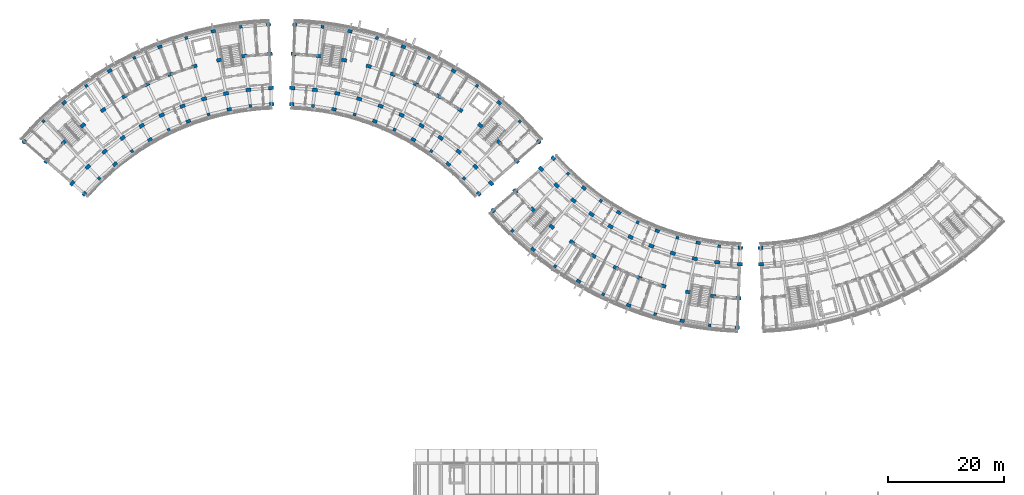
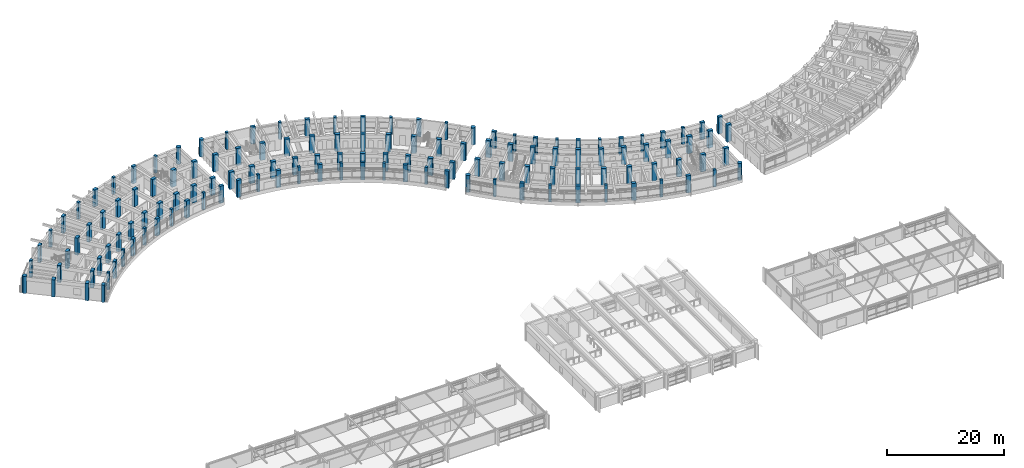
# One storey, part 7 of 83: 134 columns.
"""IFC4 building model written with IfcOpenShell, lengths in metres."""

from ifc_helpers import new_model, si_unit, direction, frame, origin, origin_2d, place, context, subcontext, project, spatial, rectangle, circle, extrude, material, material_profile, profile_set, type_object, element, save


model = new_model("IFC4")

# Units and contexts
model_context = context("Model", 3, precision=1e-05, world=origin(), true_north=direction((0.0, 1.0)))
body_context = subcontext(model_context, "Body", "Model", "MODEL_VIEW")
ifc_project = project(units=[si_unit("LENGTHUNIT", "METRE"), si_unit("AREAUNIT", "SQUARE_METRE"), si_unit("VOLUMEUNIT", "CUBIC_METRE"), si_unit("PLANEANGLEUNIT", "RADIAN"), si_unit("MASSUNIT", "GRAM", prefix="KILO")], contexts=[model_context])

# Site, building, storey
site_placement = place(None, origin())
site = spatial("IfcSite", under=ifc_project, at=site_placement, CompositionType="ELEMENT")
building_placement = place(site_placement, origin())
building = spatial("IfcBuilding", under=site, at=building_placement, Name="Zimvara Arc Housing Community", CompositionType="ELEMENT")
storey_placement = place(building_placement, frame((0.0, 0.0, 4.5)))
storey = spatial("IfcBuildingStorey", under=building, at=storey_placement, Name="L01", CompositionType="ELEMENT", Elevation=4.5)

# Columns
ifc_material_1 = material(Name="Concrete C40/50", Category="concrete")
ifc_material_profile_1 = material_profile(ifc_material_1, rectangle(XDim=0.5, YDim=0.5, at=origin_2d()), Name="RC 500x500")
ifc_profile_set_1 = profile_set([ifc_material_profile_1], Name="Concrete C40/50")
column_type_1 = type_object("IfcColumnType", Name="COL-RC-500x500", PredefinedType="COLUMN", material=ifc_profile_set_1)
for number, where, z_axis, x_axis, name in (
    (1, (13.476318359375, 76.781005859375, 0.0), (0.0, 0.0, 1.0), (-0.698665066769, 0.715448897181, 0.0), "col:blkA:L01:b1:r0"),
    (2, (3.862548828125, 86.625732421875, 0.0), (0.0, 0.0, 1.0), (-0.698665066769, 0.715448897181, 0.0), "col:blkA:L01:b1:r3"),
    (3, (19.14599609375, 81.478271484375, 0.0), (0.0, 0.0, 1.0), (-0.573004420611, 0.819552276527, 0.0), "col:blkA:L01:b3:r0"),
    (4, (11.261474609375, 92.755126953125, 0.0), (0.0, 0.0, 1.0), (-0.573004420611, 0.819552276527, 0.0), "col:blkA:L01:b3:r3"),
    (5, (25.50439453125, 85.190673828125, 0.0), (0.0, 0.0, 1.0), (-0.432085748802, 0.901832526405, 0.0), "col:blkA:L01:b5:r0"),
    (6, (19.558837890625, 97.599853515625, 0.0), (0.0, 0.0, 1.0), (-0.432085748802, 0.901832526405, 0.0), "col:blkA:L01:b5:r3"),
    (7, (32.381591796875, 87.819580078125, 0.0), (0.0, 0.0, 1.0), (-0.27966144946, 0.96009867914, 0.0), "col:blkA:L01:b7:r0"),
    (8, (28.533447265625, 101.030517578125, 0.0), (0.0, 0.0, 1.0), (-0.27966144946, 0.96009867914, 0.0), "col:blkA:L01:b7:r3"),
    (9, (39.594970703125, 89.295166015625, 0.0), (0.0, 0.0, 1.0), (-0.119790293837, 0.992799217114, 0.0), "col:blkA:L01:b9:r0"),
    (10, (37.94677734375, 102.9560546875, 0.0), (0.0, 0.0, 1.0), (-0.119790293837, 0.992799217114, 0.0), "col:blkA:L01:b9:r3"),
    (11, (50.405029296875, 89.295166015625, 0.0), (0.0, 0.0, 1.0), (0.119790293837, 0.992799217114, 0.0), "col:blkB:L01:b1:r0"),
    (12, (52.05322265625, 102.9560546875, 0.0), (0.0, 0.0, 1.0), (0.119790293837, 0.992799217114, 0.0), "col:blkB:L01:b1:r3"),
    (13, (57.618408203125, 87.819580078125, 0.0), (0.0, 0.0, 1.0), (0.27966144946, 0.96009867914, 0.0), "col:blkB:L01:b3:r0"),
    (14, (61.466552734375, 101.030517578125, 0.0), (0.0, 0.0, 1.0), (0.27966144946, 0.96009867914, 0.0), "col:blkB:L01:b3:r3"),
    (15, (64.49560546875, 85.190673828125, 0.0), (0.0, 0.0, 1.0), (0.432085748802, 0.901832526405, 0.0), "col:blkB:L01:b5:r0"),
    (16, (70.441162109375, 97.599853515625, 0.0), (0.0, 0.0, 1.0), (0.432085748802, 0.901832526405, 0.0), "col:blkB:L01:b5:r3"),
    (17, (70.85400390625, 81.478271484375, 0.0), (0.0, 0.0, 1.0), (0.573004420611, 0.819552276527, 0.0), "col:blkB:L01:b7:r0"),
    (18, (78.738525390625, 92.755126953125, 0.0), (0.0, 0.0, 1.0), (0.573004420611, 0.819552276527, 0.0), "col:blkB:L01:b7:r3"),
    (19, (76.523681640625, 76.781005859375, 0.0), (0.0, 0.0, 1.0), (0.698665066769, 0.715448897181, 0.0), "col:blkB:L01:b9:r0"),
    (20, (86.137451171875, 86.625732421875, 0.0), (0.0, 0.0, 1.0), (0.698665066769, 0.715448897181, 0.0), "col:blkB:L01:b9:r3"),
    (21, (94.456298828125, 77.578857421875, 0.0), (0.0, 0.0, 1.0), (-0.698665066769, -0.715448897181, 0.0), "col:blkC:L01:b1:r0"),
    (22, (84.842529296875, 67.734375, 0.0), (0.0, 0.0, 1.0), (-0.698665066769, -0.715448897181, 0.0), "col:blkC:L01:b1:r3"),
    (23, (100.1259765625, 72.8818359375, 0.0), (0.0, 0.0, 1.0), (-0.573004420611, -0.819552276527, 0.0), "col:blkC:L01:b3:r0"),
    (24, (92.241455078125, 61.604736328125, 0.0), (0.0, 0.0, 1.0), (-0.573004420611, -0.819552276527, 0.0), "col:blkC:L01:b3:r3"),
    (25, (106.484375, 69.16943359375, 0.0), (0.0, 0.0, 1.0), (-0.432085748802, -0.901832526405, 0.0), "col:blkC:L01:b5:r0"),
    (26, (100.538818359375, 56.760009765625, 0.0), (0.0, 0.0, 1.0), (-0.432085748802, -0.901832526405, 0.0), "col:blkC:L01:b5:r3"),
    (27, (113.361572265625, 66.540283203125, 0.0), (0.0, 0.0, 1.0), (-0.27966144946, -0.96009867914, 0.0), "col:blkC:L01:b7:r0"),
    (28, (109.513427734375, 53.329345703125, 0.0), (0.0, 0.0, 1.0), (-0.27966144946, -0.96009867914, 0.0), "col:blkC:L01:b7:r3"),
    (29, (120.574951171875, 65.06494140625, 0.0), (0.0, 0.0, 1.0), (-0.119790293837, -0.992799217114, 0.0), "col:blkC:L01:b9:r0"),
    (30, (118.9267578125, 51.404052734375, 0.0), (0.0, 0.0, 1.0), (-0.119790293837, -0.992799217114, 0.0), "col:blkC:L01:b9:r3"),
):
    element("IfcColumn", number, at=place(storey_placement, frame(where, z_axis=z_axis, x_axis=x_axis)), inside=storey, type_object=column_type_1, Name=name, PredefinedType="COLUMN", context=body_context, shape_type="SweptSolid", body=[
        extrude(rectangle(XDim=0.5, YDim=0.5, at=origin_2d()), origin(), (0.0, 0.0, 1.0), 3.60009765625),
    ])
ifc_material_2 = material(Name="Concrete C40/50", Category="concrete")
ifc_material_profile_2 = material_profile(ifc_material_2, rectangle(XDim=0.550048828125, YDim=0.800048828125, at=origin_2d()), Name="RC 550x800")
ifc_profile_set_2 = profile_set([ifc_material_profile_2], Name="Concrete C40/50")
column_type_2 = type_object("IfcColumnType", Name="COL-RC-550x800", PredefinedType="COLUMN", material=ifc_profile_set_2)
for number, where, z_axis, x_axis, name in (
    (31, (10.947509765625, 74.101318359375, 0.0), (0.0, 0.0, 1.0), (-0.754709580223, 0.656059028991, 0.0), "col:blkA:L01:b0:r0"),
    (32, (16.215087890625, 79.245361328125, 0.0), (0.0, 0.0, 1.0), (-0.637961754089, 0.770068049148, 0.0), "col:blkA:L01:b2:r0"),
    (33, (7.436767578125, 89.841552734375, 0.0), (0.0, 0.0, 1.0), (-0.637961754089, 0.770068049148, 0.0), "col:blkA:L01:b2:r3"),
    (34, (22.249267578125, 83.46435546875, 0.0), (0.0, 0.0, 1.0), (-0.504226211181, 0.863571611366, 0.0), "col:blkA:L01:b4:r0"),
    (35, (15.311279296875, 95.34716796875, 0.0), (0.0, 0.0, 1.0), (-0.504226211181, 0.863571611366, 0.0), "col:blkA:L01:b4:r3"),
    (36, (28.88916015625, 86.645751953125, 0.0), (0.0, 0.0, 1.0), (-0.357064076459, 0.934079892355, 0.0), "col:blkA:L01:b6:r0"),
    (37, (23.97607421875, 99.49853515625, 0.0), (0.0, 0.0, 1.0), (-0.357064076459, 0.934079892355, 0.0), "col:blkA:L01:b6:r3"),
    (38, (35.958251953125, 88.704833984375, 0.0), (0.0, 0.0, 1.0), (-0.200393999665, 0.979715389742, 0.0), "col:blkA:L01:b8:r0"),
    (39, (33.20068359375, 102.185546875, 0.0), (0.0, 0.0, 1.0), (-0.200393999665, 0.979715389742, 0.0), "col:blkA:L01:b8:r3"),
    (40, (43.267822265625, 89.586669921875, 0.0), (0.0, 0.0, 1.0), (-0.038387809088, 0.999262916411, 0.0), "col:blkA:L01:b10:r0"),
    (41, (46.732177734375, 89.586669921875, 0.0), (0.0, 0.0, 1.0), (0.038387809088, 0.999262916411, 0.0), "col:blkB:L01:b0:r0"),
    (42, (54.041748046875, 88.704833984375, 0.0), (0.0, 0.0, 1.0), (0.200393999665, 0.979715389742, 0.0), "col:blkB:L01:b2:r0"),
    (43, (56.79931640625, 102.185546875, 0.0), (0.0, 0.0, 1.0), (0.200393999665, 0.979715389742, 0.0), "col:blkB:L01:b2:r3"),
    (44, (61.11083984375, 86.645751953125, 0.0), (0.0, 0.0, 1.0), (0.357064076459, 0.934079892355, 0.0), "col:blkB:L01:b4:r0"),
    (45, (66.02392578125, 99.49853515625, 0.0), (0.0, 0.0, 1.0), (0.357064076459, 0.934079892355, 0.0), "col:blkB:L01:b4:r3"),
    (46, (67.750732421875, 83.46435546875, 0.0), (0.0, 0.0, 1.0), (0.504226211181, 0.863571611366, 0.0), "col:blkB:L01:b6:r0"),
    (47, (74.688720703125, 95.34716796875, 0.0), (0.0, 0.0, 1.0), (0.504226211181, 0.863571611366, 0.0), "col:blkB:L01:b6:r3"),
    (48, (73.784912109375, 79.245361328125, 0.0), (0.0, 0.0, 1.0), (0.637961754089, 0.770068049148, 0.0), "col:blkB:L01:b8:r0"),
    (49, (82.563232421875, 89.841552734375, 0.0), (0.0, 0.0, 1.0), (0.637961754089, 0.770068049148, 0.0), "col:blkB:L01:b8:r3"),
    (50, (79.052490234375, 74.101318359375, 0.0), (0.0, 0.0, 1.0), (0.754709580223, 0.656059028991, 0.0), "col:blkB:L01:b10:r0"),
    (51, (91.927490234375, 80.258544921875, 0.0), (0.0, 0.0, 1.0), (-0.754709580223, -0.656059028991, 0.0), "col:blkC:L01:b0:r0"),
    (52, (97.195068359375, 75.114501953125, 0.0), (0.0, 0.0, 1.0), (-0.637961754089, -0.770068049148, 0.0), "col:blkC:L01:b2:r0"),
    (53, (88.416748046875, 64.518310546875, 0.0), (0.0, 0.0, 1.0), (-0.637961754089, -0.770068049148, 0.0), "col:blkC:L01:b2:r3"),
    (54, (103.229248046875, 70.895751953125, 0.0), (0.0, 0.0, 1.0), (-0.504226211181, -0.863571611366, 0.0), "col:blkC:L01:b4:r0"),
    (55, (96.291259765625, 59.012939453125, 0.0), (0.0, 0.0, 1.0), (-0.504226211181, -0.863571611366, 0.0), "col:blkC:L01:b4:r3"),
    (56, (109.869384765625, 67.71435546875, 0.0), (0.0, 0.0, 1.0), (-0.357064076459, -0.934079892355, 0.0), "col:blkC:L01:b6:r0"),
    (57, (104.9560546875, 54.861328125, 0.0), (0.0, 0.0, 1.0), (-0.357064076459, -0.934079892355, 0.0), "col:blkC:L01:b6:r3"),
    (58, (116.938232421875, 65.6552734375, 0.0), (0.0, 0.0, 1.0), (-0.200393999665, -0.979715389742, 0.0), "col:blkC:L01:b8:r0"),
    (59, (114.180908203125, 52.17431640625, 0.0), (0.0, 0.0, 1.0), (-0.200393999665, -0.979715389742, 0.0), "col:blkC:L01:b8:r3"),
    (60, (124.248046875, 64.773193359375, 0.0), (0.0, 0.0, 1.0), (-0.038387809088, -0.999262916411, 0.0), "col:blkC:L01:b10:r0"),
    (61, (127.712158203125, 64.773193359375, 0.0), (0.0, 0.0, 1.0), (0.038387809088, -0.999262916411, 0.0), "col:blkD:L01:b0:r0"),
):
    element("IfcColumn", number, at=place(storey_placement, frame(where, z_axis=z_axis, x_axis=x_axis)), inside=storey, type_object=column_type_2, Name=name, PredefinedType="COLUMN", context=body_context, shape_type="SweptSolid", body=[
        extrude(rectangle(XDim=0.550048828125, YDim=0.800048828125, at=origin_2d()), origin(), (0.0, 0.0, 1.0), 3.60009765625),
    ])
ifc_material_3 = material(Name="Concrete C40/50", Category="concrete")
ifc_material_profile_3 = material_profile(ifc_material_3, rectangle(XDim=0.60009765625, YDim=0.89990234375, at=origin_2d()), Name="RC 600x900")
ifc_profile_set_3 = profile_set([ifc_material_profile_3], Name="Concrete C40/50")
column_type_3 = type_object("IfcColumnType", Name="COL-RC-600x900", PredefinedType="COLUMN", material=ifc_profile_set_3)
for number, where, z_axis, x_axis, name in (
    (62, (8.834228515625, 75.938232421875, 0.0), (0.0, 0.0, 1.0), (-0.754709580223, 0.656059028991, 0.0), "col:blkA:L01:b0:r1"),
    (63, (4.396728515625, 79.7958984375, 0.0), (0.0, 0.0, 1.0), (-0.754709580223, 0.656059028991, 0.0), "col:blkA:L01:b0:r2"),
    (64, (11.52001953125, 78.784423828125, 0.0), (0.0, 0.0, 1.0), (-0.698665066769, 0.715448897181, 0.0), "col:blkA:L01:b1:r1"),
    (65, (7.411865234375, 82.9912109375, 0.0), (0.0, 0.0, 1.0), (-0.698665066769, 0.715448897181, 0.0), "col:blkA:L01:b1:r2"),
    (66, (14.428955078125, 81.401611328125, 0.0), (0.0, 0.0, 1.0), (-0.637961754089, 0.770068049148, 0.0), "col:blkA:L01:b2:r1"),
    (67, (10.677734375, 85.9296875, 0.0), (0.0, 0.0, 1.0), (-0.637961754089, 0.770068049148, 0.0), "col:blkA:L01:b2:r2"),
    (68, (17.541748046875, 83.77294921875, 0.0), (0.0, 0.0, 1.0), (-0.573004420611, 0.819552276527, 0.0), "col:blkA:L01:b3:r1"),
    (69, (14.17236328125, 88.591796875, 0.0), (0.0, 0.0, 1.0), (-0.573004420611, 0.819552276527, 0.0), "col:blkA:L01:b3:r2"),
    (70, (20.83740234375, 85.88232421875, 0.0), (0.0, 0.0, 1.0), (-0.504226211181, 0.863571611366, 0.0), "col:blkA:L01:b4:r1"),
    (71, (17.87255859375, 90.960205078125, 0.0), (0.0, 0.0, 1.0), (-0.504226211181, 0.863571611366, 0.0), "col:blkA:L01:b4:r2"),
    (72, (24.29443359375, 87.7158203125, 0.0), (0.0, 0.0, 1.0), (-0.432085748802, 0.901832526405, 0.0), "col:blkA:L01:b5:r1"),
    (73, (21.75390625, 93.0185546875, 0.0), (0.0, 0.0, 1.0), (-0.432085748802, 0.901832526405, 0.0), "col:blkA:L01:b5:r2"),
    (74, (27.889404296875, 89.260986328125, 0.0), (0.0, 0.0, 1.0), (-0.357064076459, 0.934079892355, 0.0), "col:blkA:L01:b6:r1"),
    (75, (25.7900390625, 94.75341796875, 0.0), (0.0, 0.0, 1.0), (-0.357064076459, 0.934079892355, 0.0), "col:blkA:L01:b6:r2"),
    (76, (31.5986328125, 90.5078125, 0.0), (0.0, 0.0, 1.0), (-0.27966144946, 0.96009867914, 0.0), "col:blkA:L01:b7:r1"),
    (77, (29.9541015625, 96.1533203125, 0.0), (0.0, 0.0, 1.0), (-0.27966144946, 0.96009867914, 0.0), "col:blkA:L01:b7:r2"),
    (78, (35.397216796875, 91.447998046875, 0.0), (0.0, 0.0, 1.0), (-0.200393999665, 0.979715389742, 0.0), "col:blkA:L01:b8:r1"),
    (79, (34.21875, 97.208740234375, 0.0), (0.0, 0.0, 1.0), (-0.200393999665, 0.979715389742, 0.0), "col:blkA:L01:b8:r2"),
    (80, (39.259765625, 92.074951171875, 0.0), (0.0, 0.0, 1.0), (-0.119790293837, 0.992799217114, 0.0), "col:blkA:L01:b9:r1"),
    (81, (38.55517578125, 97.91259765625, 0.0), (0.0, 0.0, 1.0), (-0.119790293837, 0.992799217114, 0.0), "col:blkA:L01:b9:r2"),
    (82, (43.160400390625, 92.384765625, 0.0), (0.0, 0.0, 1.0), (-0.038387809088, 0.999262916411, 0.0), "col:blkA:L01:b10:r1"),
    (83, (42.934814453125, 98.26025390625, 0.0), (0.0, 0.0, 1.0), (-0.038387809088, 0.999262916411, 0.0), "col:blkA:L01:b10:r2"),
    (84, (46.839599609375, 92.384765625, 0.0), (0.0, 0.0, 1.0), (0.038387809088, 0.999262916411, 0.0), "col:blkB:L01:b0:r1"),
    (85, (47.065185546875, 98.26025390625, 0.0), (0.0, 0.0, 1.0), (0.038387809088, 0.999262916411, 0.0), "col:blkB:L01:b0:r2"),
    (86, (50.740234375, 92.074951171875, 0.0), (0.0, 0.0, 1.0), (0.119790293837, 0.992799217114, 0.0), "col:blkB:L01:b1:r1"),
    (87, (51.44482421875, 97.91259765625, 0.0), (0.0, 0.0, 1.0), (0.119790293837, 0.992799217114, 0.0), "col:blkB:L01:b1:r2"),
    (88, (54.602783203125, 91.447998046875, 0.0), (0.0, 0.0, 1.0), (0.200393999665, 0.979715389742, 0.0), "col:blkB:L01:b2:r1"),
    (89, (55.78125, 97.208740234375, 0.0), (0.0, 0.0, 1.0), (0.200393999665, 0.979715389742, 0.0), "col:blkB:L01:b2:r2"),
    (90, (58.4013671875, 90.5078125, 0.0), (0.0, 0.0, 1.0), (0.27966144946, 0.96009867914, 0.0), "col:blkB:L01:b3:r1"),
    (91, (60.0458984375, 96.1533203125, 0.0), (0.0, 0.0, 1.0), (0.27966144946, 0.96009867914, 0.0), "col:blkB:L01:b3:r2"),
    (92, (62.110595703125, 89.260986328125, 0.0), (0.0, 0.0, 1.0), (0.357064076459, 0.934079892355, 0.0), "col:blkB:L01:b4:r1"),
    (93, (64.2099609375, 94.75341796875, 0.0), (0.0, 0.0, 1.0), (0.357064076459, 0.934079892355, 0.0), "col:blkB:L01:b4:r2"),
    (94, (65.70556640625, 87.7158203125, 0.0), (0.0, 0.0, 1.0), (0.432085748802, 0.901832526405, 0.0), "col:blkB:L01:b5:r1"),
    (95, (68.24609375, 93.0185546875, 0.0), (0.0, 0.0, 1.0), (0.432085748802, 0.901832526405, 0.0), "col:blkB:L01:b5:r2"),
    (96, (69.16259765625, 85.88232421875, 0.0), (0.0, 0.0, 1.0), (0.504226211181, 0.863571611366, 0.0), "col:blkB:L01:b6:r1"),
    (97, (72.12744140625, 90.960205078125, 0.0), (0.0, 0.0, 1.0), (0.504226211181, 0.863571611366, 0.0), "col:blkB:L01:b6:r2"),
    (98, (72.458251953125, 83.77294921875, 0.0), (0.0, 0.0, 1.0), (0.573004420611, 0.819552276527, 0.0), "col:blkB:L01:b7:r1"),
    (99, (75.82763671875, 88.591796875, 0.0), (0.0, 0.0, 1.0), (0.573004420611, 0.819552276527, 0.0), "col:blkB:L01:b7:r2"),
    (100, (75.571044921875, 81.401611328125, 0.0), (0.0, 0.0, 1.0), (0.637961754089, 0.770068049148, 0.0), "col:blkB:L01:b8:r1"),
    (101, (79.322265625, 85.9296875, 0.0), (0.0, 0.0, 1.0), (0.637961754089, 0.770068049148, 0.0), "col:blkB:L01:b8:r2"),
    (102, (78.47998046875, 78.784423828125, 0.0), (0.0, 0.0, 1.0), (0.698665066769, 0.715448897181, 0.0), "col:blkB:L01:b9:r1"),
    (103, (82.588134765625, 82.9912109375, 0.0), (0.0, 0.0, 1.0), (0.698665066769, 0.715448897181, 0.0), "col:blkB:L01:b9:r2"),
    (104, (81.165771484375, 75.938232421875, 0.0), (0.0, 0.0, 1.0), (0.754709580223, 0.656059028991, 0.0), "col:blkB:L01:b10:r1"),
    (105, (85.603271484375, 79.7958984375, 0.0), (0.0, 0.0, 1.0), (0.754709580223, 0.656059028991, 0.0), "col:blkB:L01:b10:r2"),
    (106, (89.814208984375, 78.421630859375, 0.0), (0.0, 0.0, 1.0), (-0.754709580223, -0.656059028991, 0.0), "col:blkC:L01:b0:r1"),
    (107, (85.376708984375, 74.56396484375, 0.0), (0.0, 0.0, 1.0), (-0.754709580223, -0.656059028991, 0.0), "col:blkC:L01:b0:r2"),
    (108, (92.5, 75.57568359375, 0.0), (0.0, 0.0, 1.0), (-0.698665066769, -0.715448897181, 0.0), "col:blkC:L01:b1:r1"),
    (109, (88.391845703125, 71.368896484375, 0.0), (0.0, 0.0, 1.0), (-0.698665066769, -0.715448897181, 0.0), "col:blkC:L01:b1:r2"),
    (110, (95.408935546875, 72.958251953125, 0.0), (0.0, 0.0, 1.0), (-0.637961754089, -0.770068049148, 0.0), "col:blkC:L01:b2:r1"),
    (111, (91.65771484375, 68.430419921875, 0.0), (0.0, 0.0, 1.0), (-0.637961754089, -0.770068049148, 0.0), "col:blkC:L01:b2:r2"),
    (112, (98.521728515625, 70.587158203125, 0.0), (0.0, 0.0, 1.0), (-0.573004420611, -0.819552276527, 0.0), "col:blkC:L01:b3:r1"),
    (113, (95.15234375, 65.76806640625, 0.0), (0.0, 0.0, 1.0), (-0.573004420611, -0.819552276527, 0.0), "col:blkC:L01:b3:r2"),
    (114, (101.8173828125, 68.4775390625, 0.0), (0.0, 0.0, 1.0), (-0.504226211181, -0.863571611366, 0.0), "col:blkC:L01:b4:r1"),
    (115, (98.8525390625, 63.39990234375, 0.0), (0.0, 0.0, 1.0), (-0.504226211181, -0.863571611366, 0.0), "col:blkC:L01:b4:r2"),
    (116, (105.2744140625, 66.644287109375, 0.0), (0.0, 0.0, 1.0), (-0.432085748802, -0.901832526405, 0.0), "col:blkC:L01:b5:r1"),
    (117, (102.73388671875, 61.34130859375, 0.0), (0.0, 0.0, 1.0), (-0.432085748802, -0.901832526405, 0.0), "col:blkC:L01:b5:r2"),
    (118, (108.869384765625, 65.098876953125, 0.0), (0.0, 0.0, 1.0), (-0.357064076459, -0.934079892355, 0.0), "col:blkC:L01:b6:r1"),
    (119, (106.77001953125, 59.6064453125, 0.0), (0.0, 0.0, 1.0), (-0.357064076459, -0.934079892355, 0.0), "col:blkC:L01:b6:r2"),
    (120, (112.57861328125, 63.85205078125, 0.0), (0.0, 0.0, 1.0), (-0.27966144946, -0.96009867914, 0.0), "col:blkC:L01:b7:r1"),
    (121, (110.934326171875, 58.206787109375, 0.0), (0.0, 0.0, 1.0), (-0.27966144946, -0.96009867914, 0.0), "col:blkC:L01:b7:r2"),
    (122, (116.377197265625, 62.912109375, 0.0), (0.0, 0.0, 1.0), (-0.200393999665, -0.979715389742, 0.0), "col:blkC:L01:b8:r1"),
    (123, (115.19873046875, 57.1513671875, 0.0), (0.0, 0.0, 1.0), (-0.200393999665, -0.979715389742, 0.0), "col:blkC:L01:b8:r2"),
    (124, (120.23974609375, 62.28515625, 0.0), (0.0, 0.0, 1.0), (-0.119790293837, -0.992799217114, 0.0), "col:blkC:L01:b9:r1"),
    (125, (119.535400390625, 56.447509765625, 0.0), (0.0, 0.0, 1.0), (-0.119790293837, -0.992799217114, 0.0), "col:blkC:L01:b9:r2"),
    (126, (124.140380859375, 61.975341796875, 0.0), (0.0, 0.0, 1.0), (-0.038387809088, -0.999262916411, 0.0), "col:blkC:L01:b10:r1"),
    (127, (123.914794921875, 56.099609375, 0.0), (0.0, 0.0, 1.0), (-0.038387809088, -0.999262916411, 0.0), "col:blkC:L01:b10:r2"),
    (128, (127.819580078125, 61.975341796875, 0.0), (0.0, 0.0, 1.0), (0.038387809088, -0.999262916411, 0.0), "col:blkD:L01:b0:r1"),
):
    element("IfcColumn", number, at=place(storey_placement, frame(where, z_axis=z_axis, x_axis=x_axis)), inside=storey, type_object=column_type_3, Name=name, PredefinedType="COLUMN", context=body_context, shape_type="SweptSolid", body=[
        extrude(rectangle(XDim=0.60009765625, YDim=0.89990234375, at=origin_2d()), origin(), (0.0, 0.0, 1.0), 3.60009765625),
    ])
ifc_material_4 = material(Name="Concrete C40/50", Category="concrete")
ifc_material_profile_4 = material_profile(ifc_material_4, circle(Radius=0.39990234375, at=origin_2d()), Name="RC D800")
ifc_profile_set_4 = profile_set([ifc_material_profile_4], Name="Concrete C40/50")
column_type_4 = type_object("IfcColumnType", Name="COL-RC-D700", PredefinedType="COLUMN", material=ifc_profile_set_4)
for number, where, z_axis, x_axis, name in (
    (129, (0.562744140625, 83.128662109375, 0.0), (0.0, 0.0, 1.0), (-0.754709580223, 0.656059028991, 0.0), "col:blkA:L01:b0:r3"),
    (130, (42.73974609375, 103.336669921875, 0.0), (0.0, 0.0, 1.0), (-0.038387809088, 0.999262916411, 0.0), "col:blkA:L01:b10:r3"),
    (131, (47.26025390625, 103.336669921875, 0.0), (0.0, 0.0, 1.0), (0.038387809088, 0.999262916411, 0.0), "col:blkB:L01:b0:r3"),
    (132, (89.437255859375, 83.128662109375, 0.0), (0.0, 0.0, 1.0), (0.754709580223, 0.656059028991, 0.0), "col:blkB:L01:b10:r3"),
    (133, (81.542724609375, 71.231201171875, 0.0), (0.0, 0.0, 1.0), (-0.754709580223, -0.656059028991, 0.0), "col:blkC:L01:b0:r3"),
    (134, (123.7197265625, 51.0234375, 0.0), (0.0, 0.0, 1.0), (-0.038387809088, -0.999262916411, 0.0), "col:blkC:L01:b10:r3"),
):
    element("IfcColumn", number, at=place(storey_placement, frame(where, z_axis=z_axis, x_axis=x_axis)), inside=storey, type_object=column_type_4, Name=name, PredefinedType="COLUMN", context=body_context, shape_type="SweptSolid", body=[
        extrude(circle(Radius=0.39990234375, at=origin_2d()), origin(), (0.0, 0.0, 1.0), 3.60009765625),
    ])

save(model, "model.ifc")
